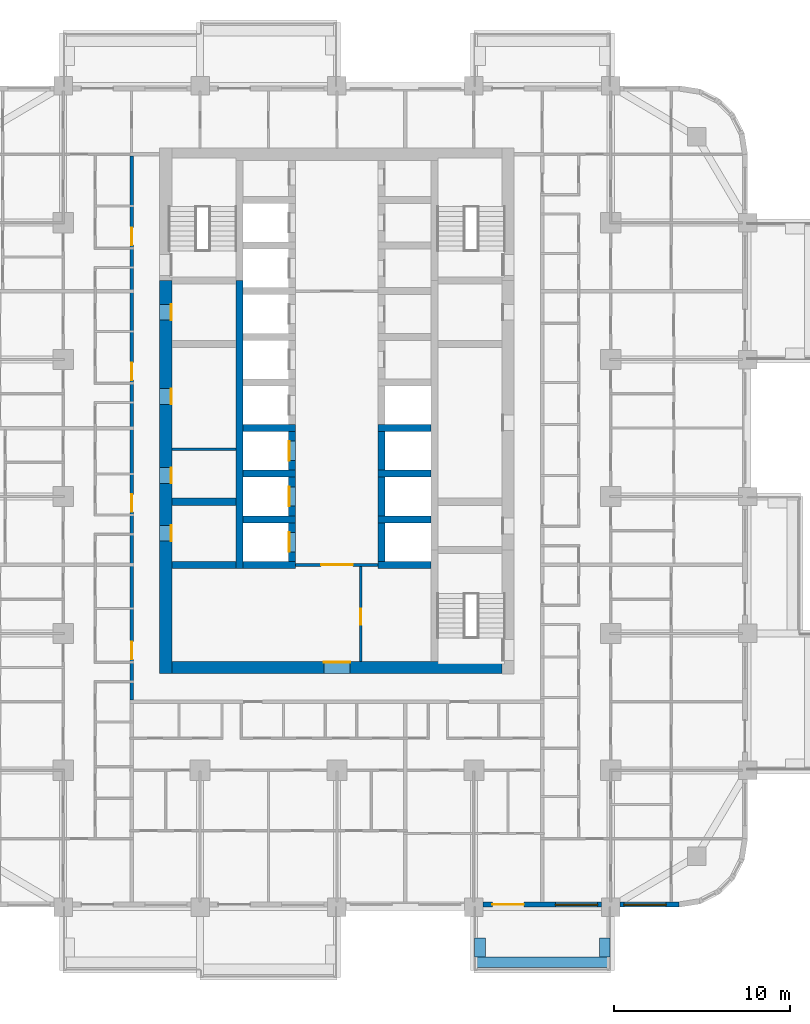
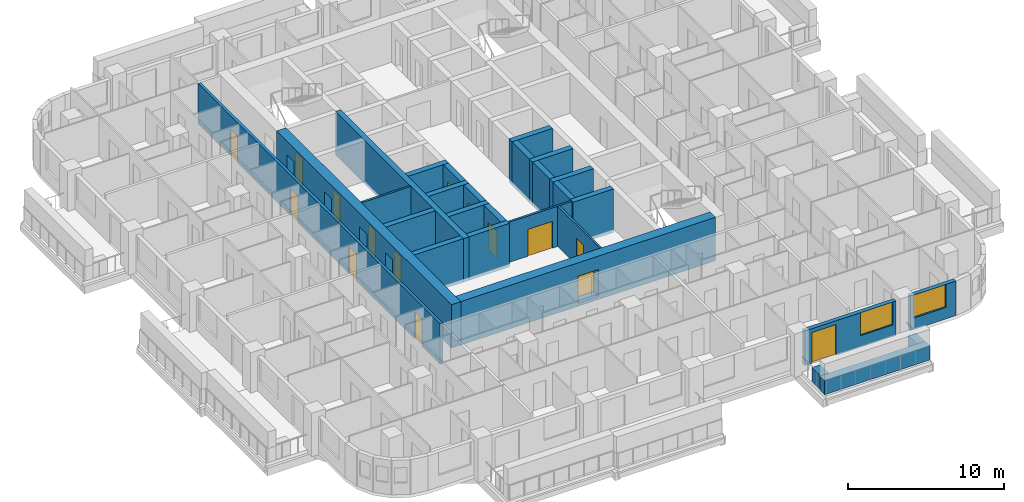
# One storey, part 6 of 17: 28 walls, 15 doors, 2 windows, 17 openings.
"""IFC4 building model written with IfcOpenShell, lengths in metres."""

from ifc_helpers import new_model, si_unit, direction, frame, frame_2d, origin, place, context, subcontext, project, spatial, rectangle, extrude, material, layer, layer_set, type_object, element, fill, save


model = new_model("IFC4")

# Units and contexts
model_context = context("Model", 3, precision=1e-05, world=origin(), true_north=direction((0.0, 1.0)))
body_context = subcontext(model_context, "Body", "Model", "MODEL_VIEW")
ifc_project = project(units=[si_unit("LENGTHUNIT", "METRE"), si_unit("AREAUNIT", "SQUARE_METRE"), si_unit("VOLUMEUNIT", "CUBIC_METRE"), si_unit("PLANEANGLEUNIT", "RADIAN"), si_unit("MASSUNIT", "GRAM", prefix="KILO")], contexts=[model_context])

# Site, building, storey
site_placement = place(None, origin())
site = spatial("IfcSite", under=ifc_project, at=site_placement, CompositionType="ELEMENT")
building_placement = place(site_placement, origin())
building = spatial("IfcBuilding", under=site, at=building_placement, Name="Ludao Terraces", CompositionType="ELEMENT")
storey_placement = place(building_placement, frame((0.0, 0.0, 22.89990234375)))
storey = spatial("IfcBuildingStorey", under=building, at=storey_placement, Name="L05", CompositionType="ELEMENT", Elevation=22.89990234375)

# Wall, openings, doors
ifc_material_1 = material(Name="Concrete C70", Category="concrete")
ifc_layer_1 = layer(ifc_material_1, 0.699951171875)
ifc_layer_set_1 = layer_set([ifc_layer_1], Name="Core wall 700 C70")
wall_type_1 = type_object("IfcWallType", Name="Core wall 700 C70", PredefinedType="SOLIDWALL", material=ifc_layer_set_1)
wall_1_placement = place(storey_placement, frame((75.25, 54.89990234375, -0.25), z_axis=(0.0, 0.0, 1.0), x_axis=(0.0, 1.0, 0.0)))
wall_1 = element("IfcWall", 1, at=wall_1_placement, inside=storey, type_object=wall_type_1, Name="Core wall L05 outer-W", PredefinedType="SOLIDWALL", context=body_context, shape_type="SweptSolid", body=[
    extrude(rectangle(XDim=22.400146484375, YDim=0.699951171875, at=frame_2d((11.2001953125, 0.0))), origin(), (0.0, 0.0, 1.0), 3.400146484375),
])
opening_1_placement = place(wall_1_placement, frame((7.550048828125, 0.0, 0.25)))
opening_1 = element("IfcOpeningElement", 2, at=opening_1_placement, cuts=wall_1, Name="Opening R01-075", PredefinedType="OPENING", context=body_context, shape_type="SweptSolid", body=[
    extrude(rectangle(XDim=0.89990234375, YDim=2.10009765625, at=frame_2d((0.449951171875, 1.050048828125))), frame((0.0, 0.35986328125, 0.0), z_axis=(0.0, -1.0, 0.0), x_axis=(1.0, 0.0, 0.0)), (0.0, 0.0, 1.0), 0.719970703125),
])
opening_2_placement = place(wall_1_placement, frame((10.85009765625, 0.0, 0.25)))
opening_2 = element("IfcOpeningElement", 3, at=opening_2_placement, cuts=wall_1, Name="Opening R01-087", PredefinedType="OPENING", context=body_context, shape_type="SweptSolid", body=[
    extrude(rectangle(XDim=0.89990234375, YDim=2.10009765625, at=frame_2d((0.449951171875, 1.050048828125))), frame((0.0, 0.35986328125, 0.0), z_axis=(0.0, -1.0, 0.0), x_axis=(1.0, 0.0, 0.0)), (0.0, 0.0, 1.0), 0.719970703125),
])
opening_3_placement = place(wall_1_placement, frame((15.35009765625, 0.0, 0.25)))
opening_3 = element("IfcOpeningElement", 4, at=opening_3_placement, cuts=wall_1, Name="Opening R01-101", PredefinedType="OPENING", context=body_context, shape_type="SweptSolid", body=[
    extrude(rectangle(XDim=0.89990234375, YDim=2.10009765625, at=frame_2d((0.449951171875, 1.050048828125))), frame((0.0, 0.35986328125, 0.0), z_axis=(0.0, -1.0, 0.0), x_axis=(1.0, 0.0, 0.0)), (0.0, 0.0, 1.0), 0.719970703125),
])
opening_4_placement = place(wall_1_placement, frame((20.14990234375, 0.0, 0.25)))
opening_4 = element("IfcOpeningElement", 5, at=opening_4_placement, cuts=wall_1, Name="Opening R01-117", PredefinedType="OPENING", context=body_context, shape_type="SweptSolid", body=[
    extrude(rectangle(XDim=0.89990234375, YDim=2.10009765625, at=frame_2d((0.449951171875, 1.050048828125))), frame((0.0, 0.35986328125, 0.0), z_axis=(0.0, -1.0, 0.0), x_axis=(1.0, 0.0, 0.0)), (0.0, 0.0, 1.0), 0.719970703125),
])
ifc_material_2 = material(Name="Steel Q235", Category="steel")
door_type_1 = type_object("IfcDoorType", Name="INT Riser door 900", OperationType="SINGLE_SWING_LEFT", PredefinedType="DOOR", material=ifc_material_2)
door_1_placement = place(opening_1_placement, origin())
door_1 = element("IfcDoor", 6, at=door_1_placement, inside=storey, type_object=door_type_1, Name="DOOR 075", OperationType="SINGLE_SWING_LEFT", OverallHeight=2.10009765625, OverallWidth=0.89990234375, PredefinedType="DOOR", context=body_context, shape_type="SweptSolid", body=[
    extrude(rectangle(XDim=0.89990234375, YDim=2.10009765625, at=frame_2d((0.449951171875, 1.050048828125))), frame((0.0, -0.28515625, 0.0), z_axis=(0.0, -1.0, 0.0), x_axis=(1.0, 0.0, 0.0)), (0.0, 0.0, 1.0), 0.050048828125),
])
fill(opening_1, door_1)
door_2_placement = place(opening_4_placement, origin())
door_2 = element("IfcDoor", 7, at=door_2_placement, inside=storey, type_object=door_type_1, Name="DOOR 117", OperationType="SINGLE_SWING_RIGHT", OverallHeight=2.10009765625, OverallWidth=0.89990234375, PredefinedType="DOOR", context=body_context, shape_type="SweptSolid", body=[
    extrude(rectangle(XDim=0.89990234375, YDim=2.10009765625, at=frame_2d((0.449951171875, 1.050048828125))), frame((0.0, -0.28515625, 0.0), z_axis=(0.0, -1.0, 0.0), x_axis=(1.0, 0.0, 0.0)), (0.0, 0.0, 1.0), 0.050048828125),
])
fill(opening_4, door_2)
ifc_material_3 = material(Name="Timber door leaf", Category="wood")
door_type_2 = type_object("IfcDoorType", Name="INT Room door 900", OperationType="SINGLE_SWING_LEFT", PredefinedType="DOOR", material=ifc_material_3)
door_3_placement = place(opening_2_placement, origin())
door_3 = element("IfcDoor", 8, at=door_3_placement, inside=storey, type_object=door_type_2, Name="DOOR 087", OperationType="SINGLE_SWING_RIGHT", OverallHeight=2.10009765625, OverallWidth=0.89990234375, PredefinedType="DOOR", context=body_context, shape_type="SweptSolid", body=[
    extrude(rectangle(XDim=0.89990234375, YDim=2.10009765625, at=frame_2d((0.449951171875, 1.050048828125))), frame((0.0, -0.28515625, 0.0), z_axis=(0.0, -1.0, 0.0), x_axis=(1.0, 0.0, 0.0)), (0.0, 0.0, 1.0), 0.050048828125),
])
fill(opening_2, door_3)
door_4_placement = place(opening_3_placement, origin())
door_4 = element("IfcDoor", 9, at=door_4_placement, inside=storey, type_object=door_type_2, Name="DOOR 101", OperationType="SINGLE_SWING_LEFT", OverallHeight=2.10009765625, OverallWidth=0.89990234375, PredefinedType="DOOR", context=body_context, shape_type="SweptSolid", body=[
    extrude(rectangle(XDim=0.89990234375, YDim=2.10009765625, at=frame_2d((0.449951171875, 1.050048828125))), frame((0.0, -0.28515625, 0.0), z_axis=(0.0, -1.0, 0.0), x_axis=(1.0, 0.0, 0.0)), (0.0, 0.0, 1.0), 0.050048828125),
])
fill(opening_3, door_4)

# Wall, opening, door
wall_2_placement = place(storey_placement, frame((75.60009765625, 55.25, -0.25), z_axis=(0.0, 0.0, 1.0), x_axis=(1.0, 0.0, 0.0)))
wall_2 = element("IfcWall", 10, at=wall_2_placement, inside=storey, type_object=wall_type_1, Name="Core wall L05 outer-S", PredefinedType="SOLIDWALL", context=body_context, shape_type="SweptSolid", body=[
    extrude(rectangle(XDim=18.7998046875, YDim=0.699951171875, at=frame_2d((9.39990234375, 0.0))), origin(), (0.0, 0.0, 1.0), 3.400146484375),
])
opening_5_placement = place(wall_2_placement, frame((8.64990234375, 0.0, 0.25)))
opening_5 = element("IfcOpeningElement", 11, at=opening_5_placement, cuts=wall_2, Name="Opening R01-051", PredefinedType="OPENING", context=body_context, shape_type="SweptSolid", body=[
    extrude(rectangle(XDim=1.5, YDim=2.10009765625, at=frame_2d((0.75, 1.050048828125))), frame((0.0, 0.35986328125, 0.0), z_axis=(0.0, -1.0, 0.0), x_axis=(1.0, 0.0, 0.0)), (0.0, 0.0, 1.0), 0.719970703125),
])
door_type_3 = type_object("IfcDoorType", Name="INT Lobby door 1500", OperationType="DOUBLE_DOOR_SINGLE_SWING", PredefinedType="DOOR", material=ifc_material_2)
door_5_placement = place(opening_5_placement, origin())
door_5 = element("IfcDoor", 12, at=door_5_placement, inside=storey, type_object=door_type_3, Name="DOOR 051", OperationType="DOUBLE_DOOR_SINGLE_SWING", OverallHeight=2.10009765625, OverallWidth=1.5, PredefinedType="DOOR", context=body_context, shape_type="SweptSolid", body=[
    extrude(rectangle(XDim=1.5, YDim=2.10009765625, at=frame_2d((0.75, 1.050048828125))), frame((0.0, 0.3349609375, 0.0), z_axis=(0.0, -1.0, 0.0), x_axis=(1.0, 0.0, 0.0)), (0.0, 0.0, 1.0), 0.050048828125),
])
fill(opening_5, door_5)

# Walls
ifc_material_4 = material(Name="Concrete C40", Category="concrete")
ifc_layer_2 = layer(ifc_material_4, 0.60009765625)
ifc_layer_set_2 = layer_set([ifc_layer_2], Name="ENV Planter trough 600")
wall_type_2 = type_object("IfcWallType", Name="ENV Planter trough 600", PredefinedType="USERDEFINED", material=ifc_layer_set_2)
wall_3_placement = place(storey_placement, frame((92.800048828125, 38.449951171875, 0.0), z_axis=(0.0, 0.0, 1.0), x_axis=(1.0, 0.0, 0.0)))
element("IfcWall", 13, at=wall_3_placement, inside=storey, type_object=wall_type_2, Name="PL-L05-S4", ObjectType="PLANTER", PredefinedType="USERDEFINED", context=body_context, shape_type="SweptSolid", body=[
    extrude(rectangle(XDim=7.800048828125, YDim=0.60009765625, at=frame_2d((3.89990234375, 0.0))), origin(), (0.0, 0.0, 1.0), 1.10009765625),
])
for number, where, z_axis, x_axis, name in (
    (14, (93.14990234375, 38.75, 0.0), (0.0, 0.0, 1.0), (0.0, 1.0, 0.0), "PL-L05-S4-SA"),
    (15, (100.25, 38.75, 0.0), (0.0, 0.0, 1.0), (0.0, 1.0, 0.0), "PL-L05-S4-SB"),
):
    element("IfcWall", number, at=place(storey_placement, frame(where, z_axis=z_axis, x_axis=x_axis)), inside=storey, type_object=wall_type_2, Name=name, ObjectType="PLANTER", PredefinedType="USERDEFINED", context=body_context, shape_type="SweptSolid", body=[
        extrude(rectangle(XDim=1.10009765625, YDim=0.60009765625, at=frame_2d((0.550048828125, 0.0))), origin(), (0.0, 0.0, 1.0), 1.10009765625),
    ])

# Wall, openings, door, window
ifc_material_5 = material(Name="Granite cladding", Category="masonry")
ifc_layer_3 = layer(ifc_material_5, 0.0400390625, Category="stone")
ifc_material_6 = material(Name="Mineral wool")
ifc_layer_4 = layer(ifc_material_6, 0.06005859375)
ifc_layer_5 = layer(ifc_material_4, 0.199951171875, Category="concrete")
ifc_layer_set_3 = layer_set([ifc_layer_3, ifc_layer_4, ifc_layer_5], Name="ENV Stone-clad wall 300")
wall_type_3 = type_object("IfcWallType", Name="ENV Stone-clad wall 300", PredefinedType="SOLIDWALL", material=ifc_layer_set_3)
wall_4_placement = place(storey_placement, frame((93.324951171875, 41.75, 0.0), z_axis=(0.0, 0.0, 1.0), x_axis=(1.0, 0.0, 0.0)))
wall_4 = element("IfcWall", 16, at=wall_4_placement, inside=storey, type_object=wall_type_3, Name="EW-L05-S5", PredefinedType="SOLIDWALL", context=body_context, shape_type="SweptSolid", body=[
    extrude(rectangle(XDim=6.75, YDim=0.300048828125, at=frame_2d((3.375, 0.0))), origin(), (0.0, 0.0, 1.0), 2.7001953125),
])
opening_6_placement = place(wall_4_placement, frame((0.52490234375, 0.0, 0.0)))
opening_6 = element("IfcOpeningElement", 17, at=opening_6_placement, cuts=wall_4, Name="Opening BD", PredefinedType="OPENING", context=body_context, shape_type="SweptSolid", body=[
    extrude(rectangle(XDim=1.800048828125, YDim=2.39990234375, at=frame_2d((0.89990234375, 1.199951171875))), frame((0.0, 0.16015625, 0.0), z_axis=(0.0, -1.0, 0.0), x_axis=(1.0, 0.0, 0.0)), (0.0, 0.0, 1.0), 0.320068359375),
])
opening_7_placement = place(wall_4_placement, frame((4.125, 0.0, 0.89990234375)))
opening_7 = element("IfcOpeningElement", 18, at=opening_7_placement, cuts=wall_4, Name="Opening W1", PredefinedType="OPENING", context=body_context, shape_type="SweptSolid", body=[
    extrude(rectangle(XDim=2.39990234375, YDim=1.800048828125, at=frame_2d((1.199951171875, 0.89990234375))), frame((0.0, 0.16015625, 0.0), z_axis=(0.0, -1.0, 0.0), x_axis=(1.0, 0.0, 0.0)), (0.0, 0.0, 1.0), 0.320068359375),
])
ifc_material_7 = material(Name="Aluminium glazed door", Category="aluminium")
ifc_layer_6 = layer(ifc_material_7, 0.06005859375)
ifc_layer_set_4 = layer_set([ifc_layer_6], Name="ENV Balcony door BD 1800x2400")
door_type_4 = type_object("IfcDoorType", Name="ENV Balcony door BD 1800x2400", OperationType="DOUBLE_DOOR_SINGLE_SWING", PredefinedType="DOOR", material=ifc_layer_set_4)
door_6_placement = place(opening_6_placement, origin())
door_6 = element("IfcDoor", 19, at=door_6_placement, inside=storey, type_object=door_type_4, Name="BD-L05-S5-1", OperationType="DOUBLE_DOOR_SINGLE_SWING", OverallHeight=2.39990234375, OverallWidth=1.800048828125, PredefinedType="DOOR", context=body_context, shape_type="SweptSolid", body=[
    extrude(rectangle(XDim=1.800048828125, YDim=2.39990234375, at=frame_2d((0.89990234375, 1.199951171875))), frame((0.0, 0.02490234375, 0.0), z_axis=(0.0, -1.0, 0.0), x_axis=(1.0, 0.0, 0.0)), (0.0, 0.0, 1.0), 0.050048828125),
])
fill(opening_6, door_6)
ifc_material_8 = material(Name="Clear glass in aluminium frame", Category="aluminium")
ifc_layer_7 = layer(ifc_material_8, 0.06005859375)
ifc_layer_set_5 = layer_set([ifc_layer_7], Name="ENV Window W1 2400x1800")
window_type = type_object("IfcWindowType", Name="ENV Window W1 2400x1800", PartitioningType="DOUBLE_PANEL_VERTICAL", PredefinedType="WINDOW", material=ifc_layer_set_5)
window_1_placement = place(opening_7_placement, origin())
window_1 = element("IfcWindow", 20, at=window_1_placement, inside=storey, type_object=window_type, Name="W-L05-S5-2", OverallHeight=1.800048828125, OverallWidth=2.39990234375, PartitioningType="DOUBLE_PANEL_VERTICAL", PredefinedType="WINDOW", context=body_context, shape_type="SweptSolid", body=[
    extrude(rectangle(XDim=2.39990234375, YDim=1.800048828125, at=frame_2d((1.199951171875, 0.89990234375))), frame((0.0, 0.030029296875, 0.0), z_axis=(0.0, -1.0, 0.0), x_axis=(1.0, 0.0, 0.0)), (0.0, 0.0, 1.0), 0.06005859375),
])
fill(opening_7, window_1)

# Wall, opening, window
wall_5_placement = place(storey_placement, frame((101.125, 41.75, 0.0), z_axis=(0.0, 0.0, 1.0), x_axis=(1.0, 0.0, 0.0)))
wall_5 = element("IfcWall", 21, at=wall_5_placement, inside=storey, type_object=wall_type_3, Name="EW-L05-S6", PredefinedType="SOLIDWALL", context=body_context, shape_type="SweptSolid", body=[
    extrude(rectangle(XDim=3.375, YDim=0.300048828125, at=frame_2d((1.6875, 0.0))), origin(), (0.0, 0.0, 1.0), 2.7001953125),
])
opening_8_placement = place(wall_5_placement, frame((0.22509765625, 0.0, 0.89990234375)))
opening_8 = element("IfcOpeningElement", 22, at=opening_8_placement, cuts=wall_5, Name="Opening W1", PredefinedType="OPENING", context=body_context, shape_type="SweptSolid", body=[
    extrude(rectangle(XDim=2.39990234375, YDim=1.800048828125, at=frame_2d((1.199951171875, 0.89990234375))), frame((0.0, 0.16015625, 0.0), z_axis=(0.0, -1.0, 0.0), x_axis=(1.0, 0.0, 0.0)), (0.0, 0.0, 1.0), 0.320068359375),
])
window_2_placement = place(opening_8_placement, origin())
window_2 = element("IfcWindow", 23, at=window_2_placement, inside=storey, type_object=window_type, Name="W-L05-S6-1", OverallHeight=1.800048828125, OverallWidth=2.39990234375, PartitioningType="DOUBLE_PANEL_VERTICAL", PredefinedType="WINDOW", context=body_context, shape_type="SweptSolid", body=[
    extrude(rectangle(XDim=2.39990234375, YDim=1.800048828125, at=frame_2d((1.199951171875, 0.89990234375))), frame((0.0, 0.030029296875, 0.0), z_axis=(0.0, -1.0, 0.0), x_axis=(1.0, 0.0, 0.0)), (0.0, 0.0, 1.0), 0.06005859375),
])
fill(opening_8, window_2)

# Wall, opening, door
ifc_material_9 = material(Name="Fire-rated gypsum plasterboard", Category="gypsum")
ifc_layer_8 = layer(ifc_material_9, 0.012451171875, Category="gypsum")
ifc_layer_9 = layer(ifc_material_6, 0.10009765625, Name="insulation")
ifc_layer_10 = layer(ifc_material_2, 0.02490234375, Name="stud")
ifc_layer_11 = layer(ifc_material_9, 0.012451171875, Category="gypsum")
ifc_layer_set_6 = layer_set([ifc_layer_8, ifc_layer_9, ifc_layer_10, ifc_layer_11], Name="INT Core partition 150")
wall_type_4 = type_object("IfcWallType", Name="INT Core partition 150", PredefinedType="PARTITIONING", material=ifc_layer_set_6)
wall_6_placement = place(storey_placement, frame((82.650146484375, 61.10009765625, 0.0), z_axis=(0.0, 0.0, 1.0), x_axis=(1.0, 0.0, 0.0)))
wall_6 = element("IfcWall", 24, at=wall_6_placement, inside=storey, type_object=wall_type_4, Name="PW-L05-PW032", PredefinedType="PARTITIONING", context=body_context, shape_type="SweptSolid", body=[
    extrude(rectangle(XDim=4.699951171875, YDim=0.14990234375, at=frame_2d((2.35009765625, 0.0))), origin(), (0.0, 0.0, 1.0), 3.150146484375),
])
opening_9_placement = place(wall_6_placement, frame((1.449951171875, 0.0, 0.0)))
opening_9 = element("IfcOpeningElement", 25, at=opening_9_placement, cuts=wall_6, Name="Opening R01-070", PredefinedType="OPENING", context=body_context, shape_type="SweptSolid", body=[
    extrude(rectangle(XDim=1.800048828125, YDim=2.10009765625, at=frame_2d((0.89990234375, 1.050048828125))), frame((0.0, 0.0849609375, 0.0), z_axis=(0.0, -1.0, 0.0), x_axis=(1.0, 0.0, 0.0)), (0.0, 0.0, 1.0), 0.169921875),
])
door_type_5 = type_object("IfcDoorType", Name="INT Fire lobby door 1800", OperationType="DOUBLE_DOOR_SINGLE_SWING", PredefinedType="DOOR", material=ifc_material_2)
door_7_placement = place(opening_9_placement, origin())
door_7 = element("IfcDoor", 26, at=door_7_placement, inside=storey, type_object=door_type_5, Name="DOOR 070", OperationType="DOUBLE_DOOR_SINGLE_SWING", OverallHeight=2.10009765625, OverallWidth=1.800048828125, PredefinedType="DOOR", context=body_context, shape_type="SweptSolid", body=[
    extrude(rectangle(XDim=1.800048828125, YDim=2.10009765625, at=frame_2d((0.89990234375, 1.050048828125))), frame((0.0, 0.02490234375, 0.0), z_axis=(0.0, -1.0, 0.0), x_axis=(1.0, 0.0, 0.0)), (0.0, 0.0, 1.0), 0.050048828125),
])
fill(opening_9, door_7)

# Wall
wall_7_placement = place(storey_placement, frame((75.60009765625, 67.699951171875, 0.0), z_axis=(0.0, 0.0, 1.0), x_axis=(1.0, 0.0, 0.0)))
element("IfcWall", 27, at=wall_7_placement, inside=storey, type_object=wall_type_4, Name="PW-L05-PW044", PredefinedType="PARTITIONING", context=body_context, shape_type="SweptSolid", body=[
    extrude(rectangle(XDim=3.64990234375, YDim=0.14990234375, at=frame_2d((1.824951171875, 0.0))), origin(), (0.0, 0.0, 1.0), 3.150146484375),
])

# Wall, opening, door
wall_8_placement = place(storey_placement, frame((86.35009765625, 55.60009765625, 0.0), z_axis=(0.0, 0.0, 1.0), x_axis=(0.0, 1.0, 0.0)))
wall_8 = element("IfcWall", 28, at=wall_8_placement, inside=storey, type_object=wall_type_4, Name="PW-L05-PW099", PredefinedType="PARTITIONING", context=body_context, shape_type="SweptSolid", body=[
    extrude(rectangle(XDim=5.425048828125, YDim=0.14990234375, at=frame_2d((2.71240234375, 0.0))), origin(), (0.0, 0.0, 1.0), 3.150146484375),
])
opening_10_placement = place(wall_8_placement, frame((2.10009765625, 0.0, 0.0)))
opening_10 = element("IfcOpeningElement", 29, at=opening_10_placement, cuts=wall_8, Name="Opening R01-060", PredefinedType="OPENING", context=body_context, shape_type="SweptSolid", body=[
    extrude(rectangle(XDim=0.89990234375, YDim=2.10009765625, at=frame_2d((0.449951171875, 1.050048828125))), frame((0.0, 0.0849609375, 0.0), z_axis=(0.0, -1.0, 0.0), x_axis=(1.0, 0.0, 0.0)), (0.0, 0.0, 1.0), 0.169921875),
])
door_8_placement = place(opening_10_placement, origin())
door_8 = element("IfcDoor", 30, at=door_8_placement, inside=storey, type_object=door_type_2, Name="DOOR 060", OperationType="SINGLE_SWING_RIGHT", OverallHeight=2.10009765625, OverallWidth=0.89990234375, PredefinedType="DOOR", context=body_context, shape_type="SweptSolid", body=[
    extrude(rectangle(XDim=0.89990234375, YDim=2.10009765625, at=frame_2d((0.449951171875, 1.050048828125))), frame((0.0, 0.02490234375, 0.0), z_axis=(0.0, -1.0, 0.0), x_axis=(1.0, 0.0, 0.0)), (0.0, 0.0, 1.0), 0.050048828125),
])
fill(opening_10, door_8)

# Wall, openings, doors
ifc_material_10 = material(Name="Autoclaved aerated concrete block B06 A3.5", Category="concrete")
ifc_layer_12 = layer(ifc_material_10, 0.199951171875)
ifc_layer_set_7 = layer_set([ifc_layer_12], Name="INT Entrance wall 200")
wall_type_5 = type_object("IfcWallType", Name="INT Entrance wall 200", PredefinedType="PARTITIONING", material=ifc_layer_set_7)
wall_9_placement = place(storey_placement, frame((73.300048828125, 53.400146484375, 0.0), z_axis=(0.0, 0.0, 1.0), x_axis=(0.0, 1.0, 0.0)))
wall_9 = element("IfcWall", 31, at=wall_9_placement, inside=storey, type_object=wall_type_5, Name="PW-L05-PW084", PredefinedType="PARTITIONING", context=body_context, shape_type="SweptSolid", body=[
    extrude(rectangle(XDim=31.0, YDim=0.199951171875, at=frame_2d((15.5, 0.0))), origin(), (0.0, 0.0, 1.0), 3.150146484375),
])
opening_11_placement = place(wall_9_placement, frame((2.324951171875, 0.0, 0.0)))
opening_11 = element("IfcOpeningElement", 32, at=opening_11_placement, cuts=wall_9, Name="Opening R01-056", PredefinedType="OPENING", context=body_context, shape_type="SweptSolid", body=[
    extrude(rectangle(XDim=1.0, YDim=2.10009765625, at=frame_2d((0.5, 1.050048828125))), frame((0.0, 0.10986328125, 0.0), z_axis=(0.0, -1.0, 0.0), x_axis=(1.0, 0.0, 0.0)), (0.0, 0.0, 1.0), 0.219970703125),
])
opening_12_placement = place(wall_9_placement, frame((10.72509765625, 0.0, 0.0)))
opening_12 = element("IfcOpeningElement", 33, at=opening_12_placement, cuts=wall_9, Name="Opening R01-082", PredefinedType="OPENING", context=body_context, shape_type="SweptSolid", body=[
    extrude(rectangle(XDim=1.0, YDim=2.10009765625, at=frame_2d((0.5, 1.050048828125))), frame((0.0, 0.10986328125, 0.0), z_axis=(0.0, -1.0, 0.0), x_axis=(1.0, 0.0, 0.0)), (0.0, 0.0, 1.0), 0.219970703125),
])
opening_13_placement = place(wall_9_placement, frame((18.22509765625, 0.0, 0.0)))
opening_13 = element("IfcOpeningElement", 34, at=opening_13_placement, cuts=wall_9, Name="Opening R01-106", PredefinedType="OPENING", context=body_context, shape_type="SweptSolid", body=[
    extrude(rectangle(XDim=1.0, YDim=2.10009765625, at=frame_2d((0.5, 1.050048828125))), frame((0.0, 0.10986328125, 0.0), z_axis=(0.0, -1.0, 0.0), x_axis=(1.0, 0.0, 0.0)), (0.0, 0.0, 1.0), 0.219970703125),
])
opening_14_placement = place(wall_9_placement, frame((25.925048828125, 0.0, 0.0)))
opening_14 = element("IfcOpeningElement", 35, at=opening_14_placement, cuts=wall_9, Name="Opening R01-133", PredefinedType="OPENING", context=body_context, shape_type="SweptSolid", body=[
    extrude(rectangle(XDim=1.0, YDim=2.10009765625, at=frame_2d((0.5, 1.050048828125))), frame((0.0, 0.10986328125, 0.0), z_axis=(0.0, -1.0, 0.0), x_axis=(1.0, 0.0, 0.0)), (0.0, 0.0, 1.0), 0.219970703125),
])
door_type_6 = type_object("IfcDoorType", Name="INT Flat entrance door 1000", OperationType="SINGLE_SWING_LEFT", PredefinedType="DOOR", material=ifc_material_2)
door_9_placement = place(opening_11_placement, origin())
door_9 = element("IfcDoor", 36, at=door_9_placement, inside=storey, type_object=door_type_6, Name="DOOR 056", OperationType="SINGLE_SWING_RIGHT", OverallHeight=2.10009765625, OverallWidth=1.0, PredefinedType="DOOR", context=body_context, shape_type="SweptSolid", body=[
    extrude(rectangle(XDim=1.0, YDim=2.10009765625, at=frame_2d((0.5, 1.050048828125))), frame((0.0, 0.02490234375, 0.0), z_axis=(0.0, -1.0, 0.0), x_axis=(1.0, 0.0, 0.0)), (0.0, 0.0, 1.0), 0.050048828125),
])
fill(opening_11, door_9)
door_10_placement = place(opening_12_placement, origin())
door_10 = element("IfcDoor", 37, at=door_10_placement, inside=storey, type_object=door_type_6, Name="DOOR 082", OperationType="SINGLE_SWING_RIGHT", OverallHeight=2.10009765625, OverallWidth=1.0, PredefinedType="DOOR", context=body_context, shape_type="SweptSolid", body=[
    extrude(rectangle(XDim=1.0, YDim=2.10009765625, at=frame_2d((0.5, 1.050048828125))), frame((0.0, 0.02490234375, 0.0), z_axis=(0.0, -1.0, 0.0), x_axis=(1.0, 0.0, 0.0)), (0.0, 0.0, 1.0), 0.050048828125),
])
fill(opening_12, door_10)
door_11_placement = place(opening_13_placement, origin())
door_11 = element("IfcDoor", 38, at=door_11_placement, inside=storey, type_object=door_type_6, Name="DOOR 106", OperationType="SINGLE_SWING_RIGHT", OverallHeight=2.10009765625, OverallWidth=1.0, PredefinedType="DOOR", context=body_context, shape_type="SweptSolid", body=[
    extrude(rectangle(XDim=1.0, YDim=2.10009765625, at=frame_2d((0.5, 1.050048828125))), frame((0.0, 0.02490234375, 0.0), z_axis=(0.0, -1.0, 0.0), x_axis=(1.0, 0.0, 0.0)), (0.0, 0.0, 1.0), 0.050048828125),
])
fill(opening_13, door_11)
door_12_placement = place(opening_14_placement, origin())
door_12 = element("IfcDoor", 39, at=door_12_placement, inside=storey, type_object=door_type_6, Name="DOOR 133", OperationType="SINGLE_SWING_RIGHT", OverallHeight=2.10009765625, OverallWidth=1.0, PredefinedType="DOOR", context=body_context, shape_type="SweptSolid", body=[
    extrude(rectangle(XDim=1.0, YDim=2.10009765625, at=frame_2d((0.5, 1.050048828125))), frame((0.0, 0.02490234375, 0.0), z_axis=(0.0, -1.0, 0.0), x_axis=(1.0, 0.0, 0.0)), (0.0, 0.0, 1.0), 0.050048828125),
])
fill(opening_14, door_12)

# Walls
ifc_material_11 = material(Name="Concrete C60", Category="concrete")
ifc_layer_13 = layer(ifc_material_11, 0.39990234375)
ifc_layer_set_8 = layer_set([ifc_layer_13], Name="Shaft wall 400 C60")
wall_type_6 = type_object("IfcWallType", Name="Shaft wall 400 C60", PredefinedType="SOLIDWALL", material=ifc_layer_set_8)
wall_10_placement = place(storey_placement, frame((79.449951171875, 60.89990234375, -0.25), z_axis=(0.0, 0.0, 1.0), x_axis=(0.0, 1.0, 0.0)))
element("IfcWall", 40, at=wall_10_placement, inside=storey, type_object=wall_type_6, Name="Core wall L05 back-W", PredefinedType="SOLIDWALL", context=body_context, shape_type="SweptSolid", body=[
    extrude(rectangle(XDim=16.400146484375, YDim=0.39990234375, at=frame_2d((8.2001953125, 0.0))), origin(), (0.0, 0.0, 1.0), 3.400146484375),
])
wall_11_placement = place(storey_placement, frame((79.64990234375, 61.10009765625, -0.25), z_axis=(0.0, 0.0, 1.0), x_axis=(1.0, 0.0, 0.0)))
element("IfcWall", 41, at=wall_11_placement, inside=storey, type_object=wall_type_6, Name="Core wall L05 div-W1", PredefinedType="SOLIDWALL", context=body_context, shape_type="SweptSolid", body=[
    extrude(rectangle(XDim=3.0, YDim=0.39990234375, at=frame_2d((1.5, 0.0))), origin(), (0.0, 0.0, 1.0), 3.400146484375),
])

# Wall, opening, door
wall_12_placement = place(storey_placement, frame((82.449951171875, 61.300048828125, -0.25), z_axis=(0.0, 0.0, 1.0), x_axis=(0.0, 1.0, 0.0)))
wall_12 = element("IfcWall", 42, at=wall_12_placement, inside=storey, type_object=wall_type_6, Name="Core wall L05 front-W1", PredefinedType="SOLIDWALL", context=body_context, shape_type="SweptSolid", body=[
    extrude(rectangle(XDim=2.199951171875, YDim=0.39990234375, at=frame_2d((1.10009765625, 0.0))), origin(), (0.0, 0.0, 1.0), 3.400146484375),
])
opening_15_placement = place(wall_12_placement, frame((0.550048828125, 0.0, 0.25)))
opening_15 = element("IfcOpeningElement", 43, at=opening_15_placement, cuts=wall_12, Name="Opening LD-LA1", PredefinedType="OPENING", context=body_context, shape_type="SweptSolid", body=[
    extrude(rectangle(XDim=1.10009765625, YDim=2.10009765625, at=frame_2d((0.550048828125, 1.050048828125))), frame((0.0, 0.2099609375, 0.0), z_axis=(0.0, -1.0, 0.0), x_axis=(1.0, 0.0, 0.0)), (0.0, 0.0, 1.0), 0.419921875),
])
ifc_material_12 = material(Name="Stainless steel 304", Category="steel")
door_type_7 = type_object("IfcDoorType", Name="INT Lift landing door 1100", OperationType="SLIDING_TO_LEFT", PredefinedType="DOOR", material=ifc_material_12)
door_13_placement = place(opening_15_placement, origin())
door_13 = element("IfcDoor", 44, at=door_13_placement, inside=storey, type_object=door_type_7, Name="LANDING DOOR LA1 L05", OperationType="SLIDING_TO_RIGHT", OverallHeight=2.10009765625, OverallWidth=1.10009765625, PredefinedType="DOOR", context=body_context, shape_type="SweptSolid", body=[
    extrude(rectangle(XDim=1.10009765625, YDim=2.10009765625, at=frame_2d((0.550048828125, 1.050048828125))), frame((0.0, 0.18505859375, 0.0), z_axis=(0.0, -1.0, 0.0), x_axis=(1.0, 0.0, 0.0)), (0.0, 0.0, 1.0), 0.050048828125),
])
fill(opening_15, door_13)

# Wall
wall_13_placement = place(storey_placement, frame((79.64990234375, 63.699951171875, -0.25), z_axis=(0.0, 0.0, 1.0), x_axis=(1.0, 0.0, 0.0)))
element("IfcWall", 45, at=wall_13_placement, inside=storey, type_object=wall_type_6, Name="Core wall L05 div-W2", PredefinedType="SOLIDWALL", context=body_context, shape_type="SweptSolid", body=[
    extrude(rectangle(XDim=3.0, YDim=0.39990234375, at=frame_2d((1.5, 0.0))), origin(), (0.0, 0.0, 1.0), 3.400146484375),
])

# Wall, opening, door
wall_14_placement = place(storey_placement, frame((82.449951171875, 63.89990234375, -0.25), z_axis=(0.0, 0.0, 1.0), x_axis=(0.0, 1.0, 0.0)))
wall_14 = element("IfcWall", 46, at=wall_14_placement, inside=storey, type_object=wall_type_6, Name="Core wall L05 front-W2", PredefinedType="SOLIDWALL", context=body_context, shape_type="SweptSolid", body=[
    extrude(rectangle(XDim=2.2001953125, YDim=0.39990234375, at=frame_2d((1.10009765625, 0.0))), origin(), (0.0, 0.0, 1.0), 3.400146484375),
])
opening_16_placement = place(wall_14_placement, frame((0.550048828125, 0.0, 0.25)))
opening_16 = element("IfcOpeningElement", 47, at=opening_16_placement, cuts=wall_14, Name="Opening LD-LA2", PredefinedType="OPENING", context=body_context, shape_type="SweptSolid", body=[
    extrude(rectangle(XDim=1.10009765625, YDim=2.10009765625, at=frame_2d((0.550048828125, 1.050048828125))), frame((0.0, 0.2099609375, 0.0), z_axis=(0.0, -1.0, 0.0), x_axis=(1.0, 0.0, 0.0)), (0.0, 0.0, 1.0), 0.419921875),
])
door_14_placement = place(opening_16_placement, origin())
door_14 = element("IfcDoor", 48, at=door_14_placement, inside=storey, type_object=door_type_7, Name="LANDING DOOR LA2 L05", OperationType="SLIDING_TO_RIGHT", OverallHeight=2.10009765625, OverallWidth=1.10009765625, PredefinedType="DOOR", context=body_context, shape_type="SweptSolid", body=[
    extrude(rectangle(XDim=1.10009765625, YDim=2.10009765625, at=frame_2d((0.550048828125, 1.050048828125))), frame((0.0, 0.18505859375, 0.0), z_axis=(0.0, -1.0, 0.0), x_axis=(1.0, 0.0, 0.0)), (0.0, 0.0, 1.0), 0.050048828125),
])
fill(opening_16, door_14)

# Wall
wall_15_placement = place(storey_placement, frame((79.64990234375, 66.300048828125, -0.25), z_axis=(0.0, 0.0, 1.0), x_axis=(1.0, 0.0, 0.0)))
element("IfcWall", 49, at=wall_15_placement, inside=storey, type_object=wall_type_6, Name="Core wall L05 div-W3", PredefinedType="SOLIDWALL", context=body_context, shape_type="SweptSolid", body=[
    extrude(rectangle(XDim=3.0, YDim=0.39990234375, at=frame_2d((1.5, 0.0))), origin(), (0.0, 0.0, 1.0), 3.400146484375),
])

# Wall, opening, door
wall_16_placement = place(storey_placement, frame((82.449951171875, 66.5, -0.25), z_axis=(0.0, 0.0, 1.0), x_axis=(0.0, 1.0, 0.0)))
wall_16 = element("IfcWall", 50, at=wall_16_placement, inside=storey, type_object=wall_type_6, Name="Core wall L05 front-W3", PredefinedType="SOLIDWALL", context=body_context, shape_type="SweptSolid", body=[
    extrude(rectangle(XDim=2.199951171875, YDim=0.39990234375, at=frame_2d((1.10009765625, 0.0))), origin(), (0.0, 0.0, 1.0), 3.400146484375),
])
opening_17_placement = place(wall_16_placement, frame((0.550048828125, 0.0, 0.25)))
opening_17 = element("IfcOpeningElement", 51, at=opening_17_placement, cuts=wall_16, Name="Opening LD-LA3", PredefinedType="OPENING", context=body_context, shape_type="SweptSolid", body=[
    extrude(rectangle(XDim=1.10009765625, YDim=2.10009765625, at=frame_2d((0.550048828125, 1.050048828125))), frame((0.0, 0.2099609375, 0.0), z_axis=(0.0, -1.0, 0.0), x_axis=(1.0, 0.0, 0.0)), (0.0, 0.0, 1.0), 0.419921875),
])
door_15_placement = place(opening_17_placement, origin())
door_15 = element("IfcDoor", 52, at=door_15_placement, inside=storey, type_object=door_type_7, Name="LANDING DOOR LA3 L05", OperationType="SLIDING_TO_RIGHT", OverallHeight=2.10009765625, OverallWidth=1.10009765625, PredefinedType="DOOR", context=body_context, shape_type="SweptSolid", body=[
    extrude(rectangle(XDim=1.10009765625, YDim=2.10009765625, at=frame_2d((0.550048828125, 1.050048828125))), frame((0.0, 0.18505859375, 0.0), z_axis=(0.0, -1.0, 0.0), x_axis=(1.0, 0.0, 0.0)), (0.0, 0.0, 1.0), 0.050048828125),
])
fill(opening_17, door_15)

# Walls
for number, where, z_axis, x_axis, name in (
    (53, (79.64990234375, 68.89990234375, -0.25), (0.0, 0.0, 1.0), (1.0, 0.0, 0.0), "Core wall L05 div-W4"),
    (54, (87.35009765625, 61.10009765625, -0.25), (0.0, 0.0, 1.0), (1.0, 0.0, 0.0), "Core wall L05 div-E1"),
):
    element("IfcWall", number, at=place(storey_placement, frame(where, z_axis=z_axis, x_axis=x_axis)), inside=storey, type_object=wall_type_6, Name=name, PredefinedType="SOLIDWALL", context=body_context, shape_type="SweptSolid", body=[
        extrude(rectangle(XDim=3.0, YDim=0.39990234375, at=frame_2d((1.5, 0.0))), origin(), (0.0, 0.0, 1.0), 3.400146484375),
    ])
wall_17_placement = place(storey_placement, frame((87.550048828125, 61.300048828125, -0.25), z_axis=(0.0, 0.0, 1.0), x_axis=(0.0, 1.0, 0.0)))
element("IfcWall", 55, at=wall_17_placement, inside=storey, type_object=wall_type_6, Name="Core wall L05 front-E1", PredefinedType="SOLIDWALL", context=body_context, shape_type="SweptSolid", body=[
    extrude(rectangle(XDim=2.199951171875, YDim=0.39990234375, at=frame_2d((1.10009765625, 0.0))), origin(), (0.0, 0.0, 1.0), 3.400146484375),
])
wall_18_placement = place(storey_placement, frame((87.35009765625, 63.699951171875, -0.25), z_axis=(0.0, 0.0, 1.0), x_axis=(1.0, 0.0, 0.0)))
element("IfcWall", 56, at=wall_18_placement, inside=storey, type_object=wall_type_6, Name="Core wall L05 div-E2", PredefinedType="SOLIDWALL", context=body_context, shape_type="SweptSolid", body=[
    extrude(rectangle(XDim=3.0, YDim=0.39990234375, at=frame_2d((1.5, 0.0))), origin(), (0.0, 0.0, 1.0), 3.400146484375),
])
wall_19_placement = place(storey_placement, frame((87.550048828125, 63.89990234375, -0.25), z_axis=(0.0, 0.0, 1.0), x_axis=(0.0, 1.0, 0.0)))
element("IfcWall", 57, at=wall_19_placement, inside=storey, type_object=wall_type_6, Name="Core wall L05 front-E2", PredefinedType="SOLIDWALL", context=body_context, shape_type="SweptSolid", body=[
    extrude(rectangle(XDim=2.2001953125, YDim=0.39990234375, at=frame_2d((1.10009765625, 0.0))), origin(), (0.0, 0.0, 1.0), 3.400146484375),
])
wall_20_placement = place(storey_placement, frame((87.35009765625, 66.300048828125, -0.25), z_axis=(0.0, 0.0, 1.0), x_axis=(1.0, 0.0, 0.0)))
element("IfcWall", 58, at=wall_20_placement, inside=storey, type_object=wall_type_6, Name="Core wall L05 div-E3", PredefinedType="SOLIDWALL", context=body_context, shape_type="SweptSolid", body=[
    extrude(rectangle(XDim=3.0, YDim=0.39990234375, at=frame_2d((1.5, 0.0))), origin(), (0.0, 0.0, 1.0), 3.400146484375),
])
wall_21_placement = place(storey_placement, frame((87.550048828125, 66.5, -0.25), z_axis=(0.0, 0.0, 1.0), x_axis=(0.0, 1.0, 0.0)))
element("IfcWall", 59, at=wall_21_placement, inside=storey, type_object=wall_type_6, Name="Core wall L05 front-E3", PredefinedType="SOLIDWALL", context=body_context, shape_type="SweptSolid", body=[
    extrude(rectangle(XDim=2.199951171875, YDim=0.39990234375, at=frame_2d((1.10009765625, 0.0))), origin(), (0.0, 0.0, 1.0), 3.400146484375),
])
wall_22_placement = place(storey_placement, frame((87.35009765625, 68.89990234375, -0.25), z_axis=(0.0, 0.0, 1.0), x_axis=(1.0, 0.0, 0.0)))
element("IfcWall", 60, at=wall_22_placement, inside=storey, type_object=wall_type_6, Name="Core wall L05 div-E4", PredefinedType="SOLIDWALL", context=body_context, shape_type="SweptSolid", body=[
    extrude(rectangle(XDim=3.0, YDim=0.39990234375, at=frame_2d((1.5, 0.0))), origin(), (0.0, 0.0, 1.0), 3.400146484375),
])
for number, where, z_axis, x_axis, name in (
    (61, (75.60009765625, 61.10009765625, -0.25), (0.0, 0.0, 1.0), (1.0, 0.0, 0.0), "Core wall L05 hall-W"),
    (62, (75.60009765625, 64.699951171875, -0.25), (0.0, 0.0, 1.0), (1.0, 0.0, 0.0), "Core wall L05 riser-a-W"),
):
    element("IfcWall", number, at=place(storey_placement, frame(where, z_axis=z_axis, x_axis=x_axis)), inside=storey, type_object=wall_type_6, Name=name, PredefinedType="SOLIDWALL", context=body_context, shape_type="SweptSolid", body=[
        extrude(rectangle(XDim=3.64990234375, YDim=0.39990234375, at=frame_2d((1.824951171875, 0.0))), origin(), (0.0, 0.0, 1.0), 3.400146484375),
    ])

save(model, "model.ifc")
